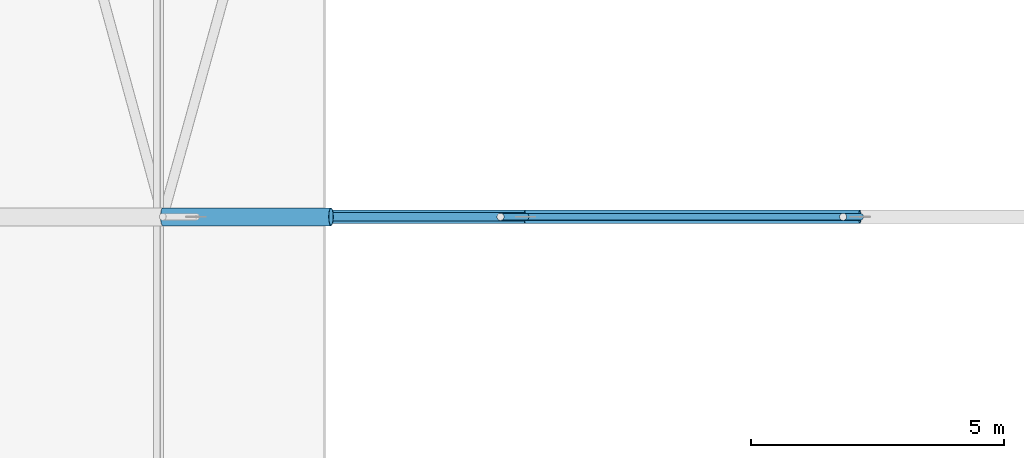
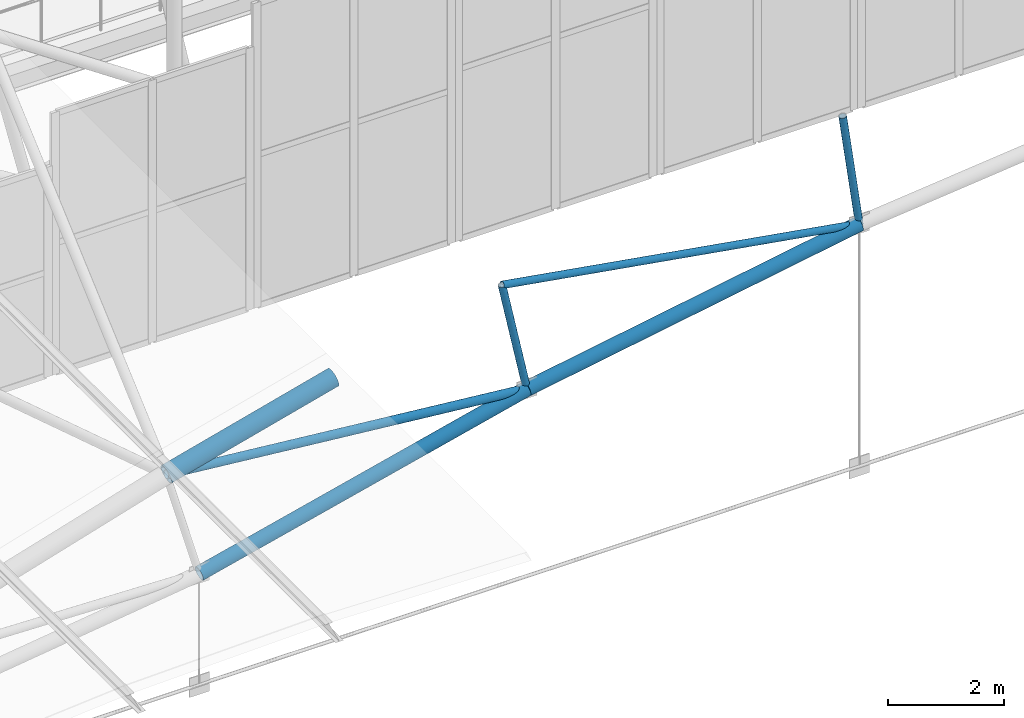
# One storey, part 170 of 321: 7 members.
"""IFC4 building model written with IfcOpenShell, lengths in metres."""

from ifc_helpers import new_model, si_unit, direction, frame, origin, origin_2d, place, context, subcontext, project, spatial, hollow_circle, extrude, material, material_profile, profile_set, type_object, element, save


model = new_model("IFC4")

# Units and contexts
model_context = context("Model", 3, precision=1e-05, world=origin(), true_north=direction((0.0, 1.0)))
body_context = subcontext(model_context, "Body", "Model", "MODEL_VIEW")
ifc_project = project(units=[si_unit("LENGTHUNIT", "METRE"), si_unit("AREAUNIT", "SQUARE_METRE"), si_unit("VOLUMEUNIT", "CUBIC_METRE"), si_unit("PLANEANGLEUNIT", "RADIAN"), si_unit("MASSUNIT", "GRAM", prefix="KILO")], contexts=[model_context])

# Site, building, storey
site_placement = place(None, origin())
site = spatial("IfcSite", under=ifc_project, at=site_placement, CompositionType="ELEMENT")
building_placement = place(site_placement, origin())
building = spatial("IfcBuilding", under=site, at=building_placement, Name="Ravi Spectrum Wholesale Market", CompositionType="ELEMENT")
storey_placement = place(building_placement, frame((0.0, 0.0, 10.800048828125)))
storey = spatial("IfcBuildingStorey", under=building, at=storey_placement, Name="L02", CompositionType="ELEMENT", Elevation=10.800048828125)

# Members
ifc_material_1 = material(Name="Steel S355", Category="steel")
ifc_material_profile_1 = material_profile(ifc_material_1, hollow_circle(Radius=0.06982421875, WallThickness=0.0048828125, at=origin_2d()))
ifc_profile_set_1 = profile_set([ifc_material_profile_1], Name="Steel S355")
member_type_1 = type_object("IfcMemberType", Name="CHS 139.7x5 brace", PredefinedType="BRACE", material=ifc_profile_set_1)
member_1_placement = place(storey_placement, frame((49.55859375, 186.0, 6.30224609375), z_axis=(0.985982518253, 0.0, -0.166848655074), x_axis=(0.0, 1.0, 0.0)))
element("IfcMember", 1, at=member_1_placement, inside=storey, type_object=member_type_1, Name="H1-MB-L02-1121", PredefinedType="BRACE", context=body_context, shape_type="SweptSolid", body=[
    extrude(hollow_circle(Radius=0.06982421875, WallThickness=0.0048828125, at=origin_2d()), origin(), (0.0, 0.0, 1.0), 7.1904296875),
])
ifc_material_2 = material(Name="Steel S355", Category="steel")
ifc_material_profile_2 = material_profile(ifc_material_2, hollow_circle(Radius=0.06982421875, WallThickness=0.0048828125, at=origin_2d()))
ifc_profile_set_2 = profile_set([ifc_material_profile_2], Name="Steel S355")
member_type_2 = type_object("IfcMemberType", Name="CHS 139.7x5 post", PredefinedType="POST", material=ifc_profile_set_2)
member_2_placement = place(storey_placement, frame((49.55859375, 186.0, 6.30224609375), z_axis=(0.20547728987, 0.0, -0.978661884078), x_axis=(0.0, 1.0, 0.0)))
element("IfcMember", 2, at=member_2_placement, inside=storey, type_object=member_type_2, Name="H1-MB-L02-1110", PredefinedType="POST", context=body_context, shape_type="SweptSolid", body=[
    extrude(hollow_circle(Radius=0.06982421875, WallThickness=0.0048828125, at=origin_2d()), origin(), (0.0, 0.0, 1.0), 2.400146484375),
])
member_3_placement = place(storey_placement, frame((56.318115234375, 186.0, 7.479736328125), z_axis=(0.137532332315, 0.0, -0.990497277921), x_axis=(0.0, 1.0, 0.0)))
element("IfcMember", 3, at=member_3_placement, inside=storey, type_object=member_type_2, Name="H1-MB-L02-1111", PredefinedType="POST", context=body_context, shape_type="SweptSolid", body=[
    extrude(hollow_circle(Radius=0.06982421875, WallThickness=0.0048828125, at=origin_2d()), origin(), (0.0, 0.0, 1.0), 2.39990234375),
])
ifc_material_3 = material(Name="Steel S355", Category="steel")
ifc_material_profile_3 = material_profile(ifc_material_3, hollow_circle(Radius=0.084228515625, WallThickness=0.00634765625, at=origin_2d()))
ifc_profile_set_3 = profile_set([ifc_material_profile_3], Name="Steel S355")
member_type_3 = type_object("IfcMemberType", Name="CHS 168.3x6.3 brace", PredefinedType="BRACE", material=ifc_profile_set_3)
member_4_placement = place(storey_placement, frame((42.896240234375, 186.0, 4.661376953125), z_axis=(0.995140525262, 0.0, -0.098464892124), x_axis=(0.0, 1.0, 0.0)))
element("IfcMember", 4, at=member_4_placement, inside=storey, type_object=member_type_3, Name="H1-MB-L02-1120", PredefinedType="BRACE", context=body_context, shape_type="SweptSolid", body=[
    extrude(hollow_circle(Radius=0.084228515625, WallThickness=0.00634765625, at=origin_2d()), origin(), (0.0, 0.0, 1.0), 7.1904296875),
])
ifc_material_4 = material(Name="Steel S355", Category="steel")
ifc_material_profile_4 = material_profile(ifc_material_4, hollow_circle(Radius=0.136474609375, WallThickness=0.010009765625, at=origin_2d()))
ifc_profile_set_4 = profile_set([ifc_material_profile_4], Name="Steel S355")
member_type_4 = type_object("IfcMemberType", Name="CHS 273x10 chord", PredefinedType="CHORD", material=ifc_profile_set_4)
for number, where, z_axis, x_axis, name in (
    (5, (43.55029296875, 186.0, 2.35205078125), (0.970981670562, 0.0, 0.23915391578), (0.0, 1.0, 0.0), "H1-MB-L02-1098"),
    (6, (50.0517578125, 186.0, 3.953369140625), (0.985162205886, 0.0, 0.171625837489), (0.0, 1.0, 0.0), "H1-MB-L02-1099"),
):
    element("IfcMember", number, at=place(storey_placement, frame(where, z_axis=z_axis, x_axis=x_axis)), inside=storey, type_object=member_type_4, Name=name, PredefinedType="CHORD", context=body_context, shape_type="SweptSolid", body=[
        extrude(hollow_circle(Radius=0.136474609375, WallThickness=0.010009765625, at=origin_2d()), origin(), (0.0, 0.0, 1.0), 6.69580078125),
    ])
ifc_material_5 = material(Name="Steel S355", Category="steel")
ifc_material_profile_5 = material_profile(ifc_material_5, hollow_circle(Radius=0.177734375, WallThickness=0.012451171875, at=origin_2d()))
ifc_profile_set_5 = profile_set([ifc_material_profile_5], Name="Steel S355")
member_type_5 = type_object("IfcMemberType", Name="CHS 355.6x12.5 chord", PredefinedType="CHORD", material=ifc_profile_set_5)
member_5_placement = place(storey_placement, frame((42.896240234375, 186.0, 4.661376953125), z_axis=(0.966728003216, 0.0, 0.255806504605), x_axis=(0.0, 1.0, 0.0)))
element("IfcMember", 7, at=member_5_placement, inside=storey, type_object=member_type_5, Name="H1-MB-L02-1076", PredefinedType="CHORD", context=body_context, shape_type="SweptSolid", body=[
    extrude(hollow_circle(Radius=0.177734375, WallThickness=0.012451171875, at=origin_2d()), origin(), (0.0, 0.0, 1.0), 3.43115234375),
])

save(model, "model.ifc")
